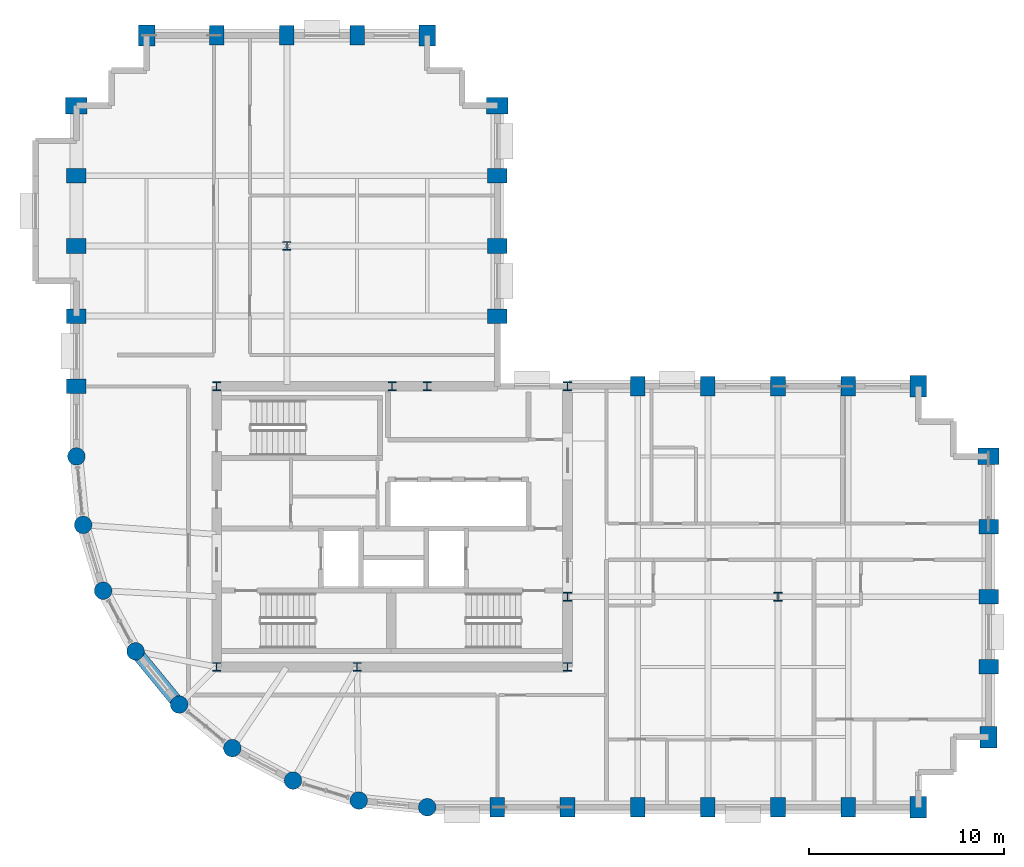
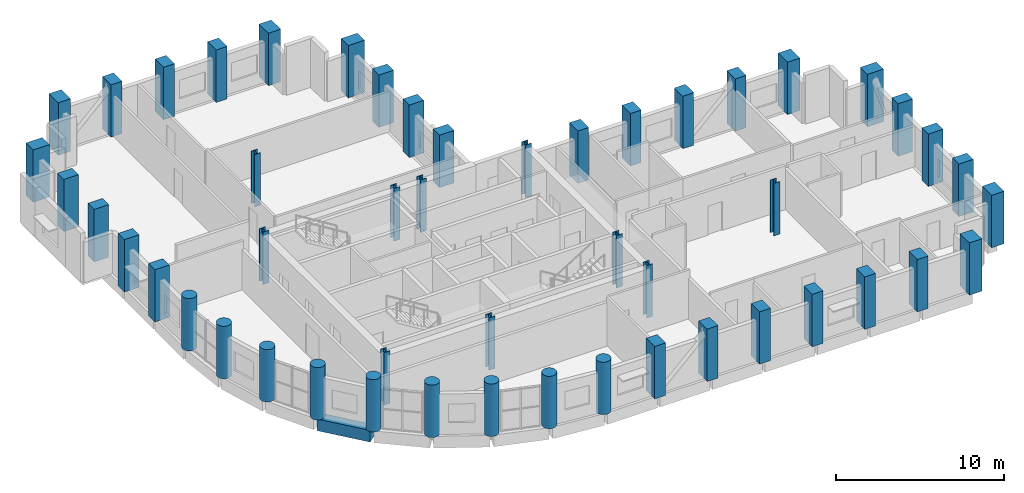
# One storey, part 1 of 14: 50 columns, 1 beam.
"""IFC4 building model written with IfcOpenShell, lengths in metres."""

from ifc_helpers import new_model, si_unit, direction, frame, origin, origin_2d, place, context, subcontext, project, spatial, rectangle, circle, i_section, extrude, material, material_profile, profile_set, type_object, element, save


model = new_model("IFC4")

# Units and contexts
model_context = context("Model", 3, precision=1e-05, world=origin(), true_north=direction((0.0, 1.0)))
body_context = subcontext(model_context, "Body", "Model", "MODEL_VIEW")
ifc_project = project(units=[si_unit("LENGTHUNIT", "METRE"), si_unit("AREAUNIT", "SQUARE_METRE"), si_unit("VOLUMEUNIT", "CUBIC_METRE"), si_unit("PLANEANGLEUNIT", "RADIAN"), si_unit("MASSUNIT", "GRAM", prefix="KILO")], contexts=[model_context])

# Site, building, storey
site_placement = place(None, origin())
site = spatial("IfcSite", under=ifc_project, at=site_placement, CompositionType="ELEMENT")
building_placement = place(site_placement, origin())
building = spatial("IfcBuilding", under=site, at=building_placement, Name="Solnavia Interchange Tower", CompositionType="ELEMENT")
storey_placement = place(building_placement, frame((0.0, 0.0, 158.0)))
storey = spatial("IfcBuildingStorey", under=building, at=storey_placement, Name="L39", CompositionType="ELEMENT", Elevation=158.0)

# Columns
ifc_material_1 = material(Name="Concrete C50/60", Category="concrete")
ifc_material_profile_1 = material_profile(ifc_material_1, rectangle(XDim=0.75, YDim=1.0, at=origin_2d()), Name="RC 1000x750")
ifc_profile_set_1 = profile_set([ifc_material_profile_1], Name="Concrete C50/60")
column_type_1 = type_object("IfcColumnType", Name="Col-RC-1000x750", PredefinedType="COLUMN", material=ifc_profile_set_1)
for number, where, z_axis, x_axis, name in (
    (1, (7.199951171875, 25.199951171875, 0.0), (0.0, 0.0, 1.0), (0.0, 1.0, 0.0), "COL-L39-02 Tower perim y column"),
    (2, (7.199951171875, 28.800048828125, 0.0), (0.0, 0.0, 1.0), (0.0, 1.0, 0.0), "COL-L39-03 Tower perim y column"),
    (3, (7.199951171875, 32.39990234375, 0.0), (0.0, 0.0, 1.0), (0.0, 1.0, 0.0), "COL-L39-04 Tower perim y column"),
    (4, (7.199951171875, 36.0, 0.0), (0.0, 0.0, 1.0), (0.0, 1.0, 0.0), "COL-L39-05 Tower perim y column"),
    (5, (14.39990234375, 43.199951171875, 0.0), (0.0, 0.0, 1.0), (1.0, 0.0, 0.0), "COL-L39-14 Tower perim x column"),
    (6, (18.0, 43.199951171875, 0.0), (0.0, 0.0, 1.0), (1.0, 0.0, 0.0), "COL-L39-17 Tower perim x column"),
    (7, (21.60009765625, 43.199951171875, 0.0), (0.0, 0.0, 1.0), (1.0, 0.0, 0.0), "COL-L39-20 Tower perim x column"),
    (8, (28.800048828125, 3.60009765625, 0.0), (0.0, 0.0, 1.0), (1.0, 0.0, 0.0), "COL-L39-26 Tower perim x column"),
    (9, (28.800048828125, 28.800048828125, 0.0), (0.0, 0.0, 1.0), (0.0, 1.0, 0.0), "COL-L39-27 Tower perim y column"),
    (10, (28.800048828125, 32.39990234375, 0.0), (0.0, 0.0, 1.0), (0.0, 1.0, 0.0), "COL-L39-28 Tower perim y column"),
    (11, (28.800048828125, 36.0, 0.0), (0.0, 0.0, 1.0), (0.0, 1.0, 0.0), "COL-L39-29 Tower perim y column"),
    (12, (32.39990234375, 3.60009765625, 0.0), (0.0, 0.0, 1.0), (1.0, 0.0, 0.0), "COL-L39-31 Tower perim x column"),
    (13, (36.0, 3.60009765625, 0.0), (0.0, 0.0, 1.0), (1.0, 0.0, 0.0), "COL-L39-35 Tower perim x column"),
    (14, (36.0, 25.199951171875, 0.0), (0.0, 0.0, 1.0), (1.0, 0.0, 0.0), "COL-L39-36 Tower perim x column"),
    (15, (39.60009765625, 3.60009765625, 0.0), (0.0, 0.0, 1.0), (1.0, 0.0, 0.0), "COL-L39-37 Tower perim x column"),
    (16, (39.60009765625, 25.199951171875, 0.0), (0.0, 0.0, 1.0), (1.0, 0.0, 0.0), "COL-L39-38 Tower perim x column"),
    (17, (43.199951171875, 3.60009765625, 0.0), (0.0, 0.0, 1.0), (1.0, 0.0, 0.0), "COL-L39-39 Tower perim x column"),
    (18, (43.199951171875, 25.199951171875, 0.0), (0.0, 0.0, 1.0), (1.0, 0.0, 0.0), "COL-L39-41 Tower perim x column"),
    (19, (46.800048828125, 3.60009765625, 0.0), (0.0, 0.0, 1.0), (1.0, 0.0, 0.0), "COL-L39-42 Tower perim x column"),
    (20, (46.800048828125, 25.199951171875, 0.0), (0.0, 0.0, 1.0), (1.0, 0.0, 0.0), "COL-L39-43 Tower perim x column"),
    (21, (54.0, 10.800048828125, 0.0), (0.0, 0.0, 1.0), (0.0, 1.0, 0.0), "COL-L39-47 Tower perim y column"),
    (22, (54.0, 14.39990234375, 0.0), (0.0, 0.0, 1.0), (0.0, 1.0, 0.0), "COL-L39-48 Tower perim y column"),
    (23, (54.0, 18.0, 0.0), (0.0, 0.0, 1.0), (0.0, 1.0, 0.0), "COL-L39-49 Tower perim y column"),
):
    element("IfcColumn", number, at=place(storey_placement, frame(where, z_axis=z_axis, x_axis=x_axis)), inside=storey, type_object=column_type_1, Name=name, PredefinedType="COLUMN", context=body_context, shape_type="SweptSolid", body=[
        extrude(rectangle(XDim=0.75, YDim=1.0, at=origin_2d()), origin(), (0.0, 0.0, 1.0), 3.800048828125),
    ])
ifc_material_profile_2 = material_profile(ifc_material_1, rectangle(XDim=0.85009765625, YDim=1.10009765625, at=origin_2d()), Name="RC 1100x850")
ifc_profile_set_2 = profile_set([ifc_material_profile_2], Name="Concrete C50/60")
column_type_2 = type_object("IfcColumnType", Name="Col-RC-1100x850", PredefinedType="COLUMN", material=ifc_profile_set_2)
for number, where, z_axis, x_axis, name in (
    (24, (7.199951171875, 39.60009765625, 0.0), (0.0, 0.0, 1.0), (0.0, 1.0, 0.0), "COL-L39-06 Tower corner column"),
    (25, (10.800048828125, 43.199951171875, 0.0), (0.0, 0.0, 1.0), (1.0, 0.0, 0.0), "COL-L39-10 Tower corner column"),
    (26, (25.199951171875, 43.199951171875, 0.0), (0.0, 0.0, 1.0), (1.0, 0.0, 0.0), "COL-L39-25 Tower corner column"),
    (27, (28.800048828125, 39.60009765625, 0.0), (0.0, 0.0, 1.0), (0.0, 1.0, 0.0), "COL-L39-30 Tower corner column"),
    (28, (50.39990234375, 3.60009765625, 0.0), (0.0, 0.0, 1.0), (1.0, 0.0, 0.0), "COL-L39-44 Tower corner column"),
    (29, (50.39990234375, 25.199951171875, 0.0), (0.0, 0.0, 1.0), (1.0, 0.0, 0.0), "COL-L39-45 Tower corner column"),
    (30, (54.0, 7.199951171875, 0.0), (0.0, 0.0, 1.0), (1.0, 0.0, 0.0), "COL-L39-46 Tower corner column"),
    (31, (54.0, 21.60009765625, 0.0), (0.0, 0.0, 1.0), (0.0, 1.0, 0.0), "COL-L39-50 Tower corner column"),
):
    element("IfcColumn", number, at=place(storey_placement, frame(where, z_axis=z_axis, x_axis=x_axis)), inside=storey, type_object=column_type_2, Name=name, PredefinedType="COLUMN", context=body_context, shape_type="SweptSolid", body=[
        extrude(rectangle(XDim=0.85009765625, YDim=1.10009765625, at=origin_2d()), origin(), (0.0, 0.0, 1.0), 3.800048828125),
    ])
ifc_material_profile_3 = material_profile(ifc_material_1, circle(Radius=0.449951171875, at=origin_2d()), Name="RC D900")
ifc_profile_set_3 = profile_set([ifc_material_profile_3], Name="Concrete C50/60")
column_type_3 = type_object("IfcColumnType", Name="Col-RC-D900", PredefinedType="COLUMN", material=ifc_profile_set_3)
for number, where, z_axis, x_axis, name in (
    (32, (7.199951171875, 21.60009765625, 0.0), (0.0, 0.0, 1.0), (1.0, 0.0, 0.0), "COL-L39-01 Tower drum column"),
    (33, (7.5458984375, 18.087890625, 0.0), (0.0, 0.0, 1.0), (1.0, 0.0, 0.0), "COL-L39-07 Tower drum column"),
    (34, (8.570068359375, 14.7119140625, 0.0), (0.0, 0.0, 1.0), (1.0, 0.0, 0.0), "COL-L39-08 Tower drum column"),
    (35, (10.23388671875, 11.60009765625, 0.0), (0.0, 0.0, 1.0), (1.0, 0.0, 0.0), "COL-L39-09 Tower drum column"),
    (36, (12.471923828125, 8.8720703125, 0.0), (0.0, 0.0, 1.0), (1.0, 0.0, 0.0), "COL-L39-11 Tower drum column"),
    (37, (15.199951171875, 6.634033203125, 0.0), (0.0, 0.0, 1.0), (1.0, 0.0, 0.0), "COL-L39-15 Tower drum column"),
    (38, (18.31201171875, 4.969970703125, 0.0), (0.0, 0.0, 1.0), (1.0, 0.0, 0.0), "COL-L39-18 Tower drum column"),
    (39, (21.68798828125, 3.946044921875, 0.0), (0.0, 0.0, 1.0), (1.0, 0.0, 0.0), "COL-L39-21 Tower drum column"),
    (40, (25.199951171875, 3.60009765625, 0.0), (0.0, 0.0, 1.0), (1.0, 0.0, 0.0), "COL-L39-23 Tower drum column"),
):
    element("IfcColumn", number, at=place(storey_placement, frame(where, z_axis=z_axis, x_axis=x_axis)), inside=storey, type_object=column_type_3, Name=name, PredefinedType="COLUMN", context=body_context, shape_type="SweptSolid", body=[
        extrude(circle(Radius=0.449951171875, at=origin_2d()), origin(), (0.0, 0.0, 1.0), 3.800048828125),
    ])
ifc_material_2 = material(Name="Steel S355", Category="steel")
ifc_material_profile_4 = material_profile(ifc_material_2, i_section(OverallWidth=0.416015625, OverallDepth=0.44189453125, WebThickness=0.02490234375, FlangeThickness=0.041015625, FilletRadius=0.014892578125, at=origin_2d()), Name="HD 400x382")
ifc_profile_set_4 = profile_set([ifc_material_profile_4], Name="Steel S355")
column_type_4 = type_object("IfcColumnType", Name="Col-Steel-HD400x382", PredefinedType="COLUMN", material=ifc_profile_set_4)
for number, where, z_axis, x_axis, name in (
    (41, (14.39990234375, 10.800048828125, 0.0), (0.0, 0.0, 1.0), (1.0, 0.0, 0.0), "COL-L39-12 Tower interior column"),
    (42, (14.39990234375, 25.199951171875, 0.0), (0.0, 0.0, 1.0), (1.0, 0.0, 0.0), "COL-L39-13 Tower interior column"),
    (43, (18.0, 32.39990234375, 0.0), (0.0, 0.0, 1.0), (1.0, 0.0, 0.0), "COL-L39-16 Tower interior column"),
    (44, (21.60009765625, 10.800048828125, 0.0), (0.0, 0.0, 1.0), (1.0, 0.0, 0.0), "COL-L39-19 Tower interior column"),
    (45, (23.39990234375, 25.199951171875, 0.0), (0.0, 0.0, 1.0), (1.0, 0.0, 0.0), "COL-L39-22 Tower interior column"),
    (46, (25.199951171875, 25.199951171875, 0.0), (0.0, 0.0, 1.0), (1.0, 0.0, 0.0), "COL-L39-24 Tower interior column"),
    (47, (32.39990234375, 10.800048828125, 0.0), (0.0, 0.0, 1.0), (1.0, 0.0, 0.0), "COL-L39-32 Tower interior column"),
    (48, (32.39990234375, 14.39990234375, 0.0), (0.0, 0.0, 1.0), (1.0, 0.0, 0.0), "COL-L39-33 Tower interior column"),
    (49, (32.39990234375, 25.199951171875, 0.0), (0.0, 0.0, 1.0), (1.0, 0.0, 0.0), "COL-L39-34 Tower interior column"),
    (50, (43.199951171875, 14.39990234375, 0.0), (0.0, 0.0, 1.0), (1.0, 0.0, 0.0), "COL-L39-40 Tower interior column"),
):
    element("IfcColumn", number, at=place(storey_placement, frame(where, z_axis=z_axis, x_axis=x_axis)), inside=storey, type_object=column_type_4, Name=name, PredefinedType="COLUMN", context=body_context, shape_type="SweptSolid", body=[
        extrude(i_section(OverallWidth=0.416015625, OverallDepth=0.44189453125, WebThickness=0.02490234375, FlangeThickness=0.041015625, FilletRadius=0.014892578125, at=origin_2d()), origin(), (0.0, 0.0, 1.0), 3.800048828125),
    ])

# Beam
ifc_material_profile_5 = material_profile(ifc_material_1, rectangle(XDim=0.64990234375, YDim=0.85009765625, at=origin_2d()), Name="RC 650x850")
ifc_profile_set_5 = profile_set([ifc_material_profile_5], Name="Concrete C50/60")
beam_type = type_object("IfcBeamType", Name="Beam-Spandrel-RC650x850", PredefinedType="SPANDREL", material=ifc_profile_set_5)
beam_placement = place(storey_placement, frame((10.28466796875, 11.5380859375, -0.425048828125), z_axis=(0.634298841675, -0.773087950656, 0.0), x_axis=(0.773087950656, 0.634298841675, 0.0)))
element("IfcBeam", 51, at=beam_placement, inside=storey, type_object=beam_type, Name="SPB-L39-04 Framed-tube perimeter spandrel beam", PredefinedType="SPANDREL", context=body_context, shape_type="SweptSolid", body=[
    extrude(rectangle(XDim=0.64990234375, YDim=0.85009765625, at=origin_2d()), origin(), (0.0, 0.0, 1.0), 3.36865234375),
])

save(model, "model.ifc")
